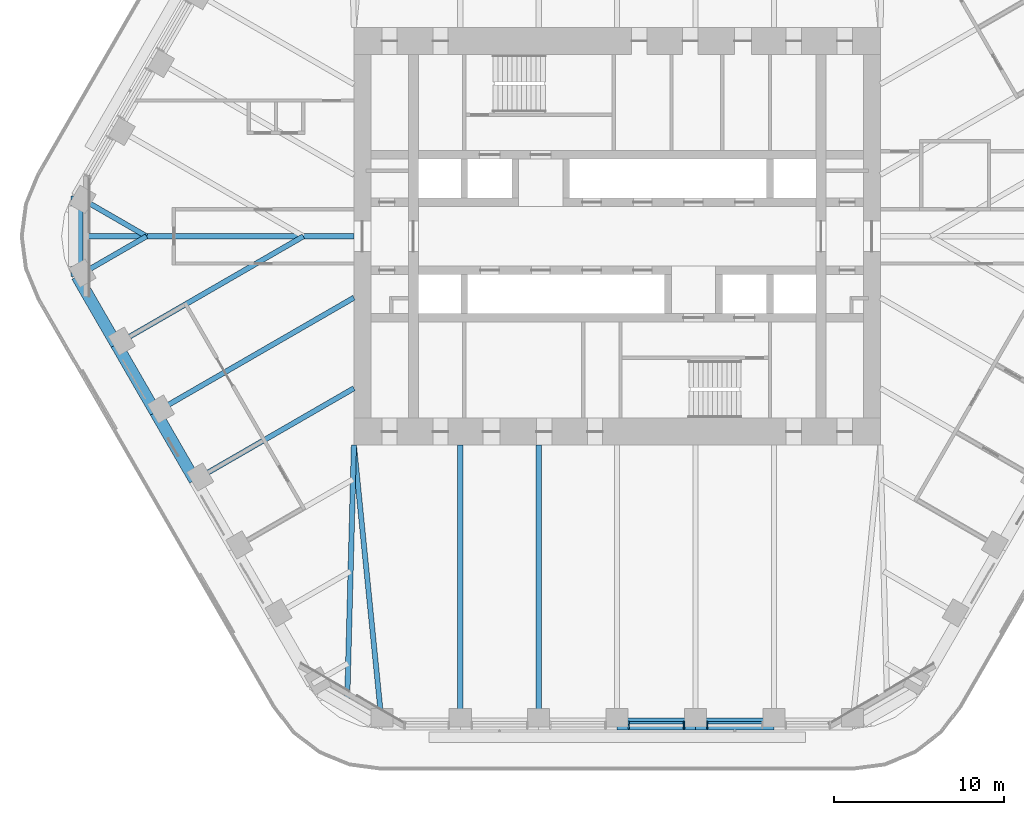
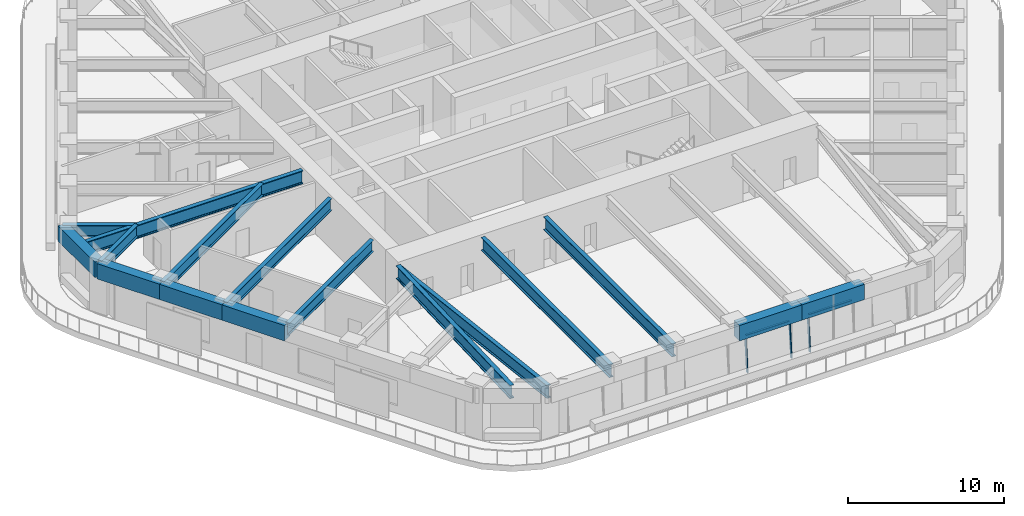
# One storey, part 3 of 20: 16 beams, 5 members, 2 elements without a shape of their own.
"""IFC4 building model written with IfcOpenShell, lengths in metres."""

from ifc_helpers import new_model, si_unit, direction, frame, origin, origin_2d, place, context, subcontext, project, spatial, rectangle, i_section, extrude, material, material_profile, profile_set, type_object, element, aggregate, save


model = new_model("IFC4")

# Units and contexts
model_context = context("Model", 3, precision=1e-05, world=origin(), true_north=direction((0.0, 1.0)))
body_context = subcontext(model_context, "Body", "Model", "MODEL_VIEW")
ifc_project = project(units=[si_unit("LENGTHUNIT", "METRE"), si_unit("AREAUNIT", "SQUARE_METRE"), si_unit("VOLUMEUNIT", "CUBIC_METRE"), si_unit("PLANEANGLEUNIT", "RADIAN"), si_unit("MASSUNIT", "GRAM", prefix="KILO")], contexts=[model_context])

# Site, building, storey
site_placement = place(None, origin())
site = spatial("IfcSite", under=ifc_project, at=site_placement, CompositionType="ELEMENT")
building_placement = place(site_placement, origin())
building = spatial("IfcBuilding", under=site, at=building_placement, Name="Tarfa Lantern Tower", CompositionType="ELEMENT")
storey_placement = place(building_placement, frame((0.0, 0.0, 253.300048828125)))
storey = spatial("IfcBuildingStorey", under=building, at=storey_placement, Name="L57", CompositionType="ELEMENT", Elevation=253.300048828125)

# Curtain wall, members
ifc_material_1 = material(Name="Aluminium framed curtain wall", Category="aluminium")
curtain_wall_type = type_object("IfcCurtainWallType", Name="CW3 CANTED GLAZING HIGH ZONE 2800", PredefinedType="USERDEFINED", material=ifc_material_1)
curtain_wall_1_placement = place(storey_placement, origin())
curtain_wall_1 = element("IfcCurtainWall", 1, at=curtain_wall_1_placement, inside=storey, type_object=curtain_wall_type, Name="CW3 S L57", ObjectType="CURTAIN WALL", PredefinedType="USERDEFINED")
ifc_material_2 = material(Name="Aluminium mullion", Category="aluminium")
ifc_material_profile_1 = material_profile(ifc_material_2, rectangle(XDim=0.06494140625, YDim=0.199951171875, at=origin_2d()), Name="AL MULLION 65x200")
ifc_profile_set_1 = profile_set([ifc_material_profile_1], Name="Aluminium mullion")
member_type_1 = type_object("IfcMemberType", Name="CWM1 MULLION 65x200", PredefinedType="MULLION", material=ifc_profile_set_1)
member_1_placement = place(storey_placement, frame((0.6826171875, -28.89990234375, 0.0), z_axis=(0.0, 0.088930399417, 0.996037842685), x_axis=(-1.0, 0.0, 0.0)))
member_1 = element("IfcMember", 2, at=member_1_placement, type_object=member_type_1, Name="CW3 mullion 1", PredefinedType="MULLION", context=body_context, shape_type="SweptSolid", body=[
    extrude(rectangle(XDim=0.06494140625, YDim=0.199951171875, at=origin_2d()), origin(), (0.0, 0.0, 1.0), 2.811279296875),
])
member_2_placement = place(storey_placement, frame((3.936279296875, -28.89990234375, 0.0), z_axis=(0.0, 0.088930399417, 0.996037842685), x_axis=(-1.0, 0.0, 0.0)))
member_2 = element("IfcMember", 3, at=member_2_placement, type_object=member_type_1, Name="CW3 mullion 2", PredefinedType="MULLION", context=body_context, shape_type="SweptSolid", body=[
    extrude(rectangle(XDim=0.06494140625, YDim=0.199951171875, at=origin_2d()), origin(), (0.0, 0.0, 1.0), 2.811279296875),
])

# Curtain wall, member
curtain_wall_2_placement = place(storey_placement, origin())
curtain_wall_2 = element("IfcCurtainWall", 4, at=curtain_wall_2_placement, inside=storey, type_object=curtain_wall_type, Name="CW3 S L57", ObjectType="CURTAIN WALL", PredefinedType="USERDEFINED")
member_3_placement = place(storey_placement, frame((5.30126953125, -28.89990234375, 0.0), z_axis=(0.0, 0.088930399417, 0.996037842685), x_axis=(-1.0, 0.0, 0.0)))
member_3 = element("IfcMember", 5, at=member_3_placement, type_object=member_type_1, Name="CW3 mullion 1", PredefinedType="MULLION", context=body_context, shape_type="SweptSolid", body=[
    extrude(rectangle(XDim=0.06494140625, YDim=0.199951171875, at=origin_2d()), origin(), (0.0, 0.0, 1.0), 2.811279296875),
])

# Member
ifc_material_3 = material(Name="Aluminium transom", Category="aluminium")
ifc_material_profile_2 = material_profile(ifc_material_3, rectangle(XDim=0.14990234375, YDim=0.06494140625, at=origin_2d()), Name="AL TRANSOM 150x65")
ifc_profile_set_2 = profile_set([ifc_material_profile_2], Name="Aluminium transom")
member_type_2 = type_object("IfcMemberType", Name="CWT1 TRANSOM 150x65", PredefinedType="USERDEFINED", material=ifc_profile_set_2)
member_4_placement = place(storey_placement, frame((0.715087890625, -28.65283203125, 2.767333984375), z_axis=(1.0, 0.0, 0.0), x_axis=(0.0, 1.0, 0.0)))
member_4 = element("IfcMember", 6, at=member_4_placement, type_object=member_type_2, Name="CW3 transom 1.2", ObjectType="TRANSOM", PredefinedType="USERDEFINED", context=body_context, shape_type="SweptSolid", body=[
    extrude(rectangle(XDim=0.14990234375, YDim=0.06494140625, at=origin_2d()), origin(), (0.0, 0.0, 1.0), 3.188720703125),
])

aggregate(curtain_wall_1, [member_1, member_2, member_4])

member_5_placement = place(storey_placement, frame((5.333740234375, -28.65283203125, 2.767333984375), z_axis=(1.0, 0.0, 0.0), x_axis=(0.0, 1.0, 0.0)))
member_5 = element("IfcMember", 7, at=member_5_placement, type_object=member_type_2, Name="CW3 transom 1.2", ObjectType="TRANSOM", PredefinedType="USERDEFINED", context=body_context, shape_type="SweptSolid", body=[
    extrude(rectangle(XDim=0.14990234375, YDim=0.06494140625, at=origin_2d()), origin(), (0.0, 0.0, 1.0), 3.18896484375),
])

aggregate(curtain_wall_2, [member_3, member_5])

# Beams
ifc_material_4 = material(Name="Concrete C80/95", Category="concrete")
ifc_material_profile_3 = material_profile(ifc_material_4, rectangle(XDim=0.699951171875, YDim=1.199951171875, at=origin_2d()), Name="RC 700x1200")
ifc_profile_set_3 = profile_set([ifc_material_profile_3], Name="Concrete C80/95")
beam_type_1 = type_object("IfcBeamType", Name="EB3 RC 700x1200", PredefinedType="SPANDREL", material=ifc_profile_set_3)
beam_1_placement = place(storey_placement, frame((-31.800537109375, 2.360107421875, 3.39990234375), z_axis=(0.0, -1.0, 0.0), x_axis=(1.0, 0.0, 0.0)))
element("IfcBeam", 8, at=beam_1_placement, inside=storey, type_object=beam_type_1, Name="Edge beam NW6", PredefinedType="SPANDREL", context=body_context, shape_type="SweptSolid", body=[
    extrude(rectangle(XDim=0.699951171875, YDim=1.199951171875, at=origin_2d()), origin(), (0.0, 0.0, 1.0), 4.72021484375),
])
beam_2_placement = place(storey_placement, frame((-31.800537109375, -2.360107421875, 3.39990234375), z_axis=(0.500027479704, -0.866009537788, 0.0), x_axis=(0.866009537788, 0.500027479704, 0.0)))
element("IfcBeam", 9, at=beam_2_placement, inside=storey, type_object=beam_type_1, Name="Edge beam SW0", PredefinedType="SPANDREL", context=body_context, shape_type="SweptSolid", body=[
    extrude(rectangle(XDim=0.699951171875, YDim=1.199951171875, at=origin_2d()), origin(), (0.0, 0.0, 1.0), 4.618896484375),
])
for number, where, z_axis, x_axis, name in (
    (10, (-29.490966796875, -6.360107421875, 3.39990234375), (0.499987836815, -0.866032426089, 0.0), (0.866032426089, 0.499987836815, 0.0), "Edge beam SW1"),
    (11, (-27.181640625, -10.360107421875, 3.39990234375), (0.499987836815, -0.866032426089, 0.0), (0.866032426089, 0.499987836815, 0.0), "Edge beam SW2"),
):
    element("IfcBeam", number, at=place(storey_placement, frame(where, z_axis=z_axis, x_axis=x_axis)), inside=storey, type_object=beam_type_1, Name=name, PredefinedType="SPANDREL", context=body_context, shape_type="SweptSolid", body=[
        extrude(rectangle(XDim=0.699951171875, YDim=1.199951171875, at=origin_2d()), origin(), (0.0, 0.0, 1.0), 4.61865234375),
    ])
beam_3_placement = place(storey_placement, frame((0.0, -28.719970703125, 3.39990234375), z_axis=(1.0, 0.0, 0.0), x_axis=(0.0, 1.0, 0.0)))
element("IfcBeam", 12, at=beam_3_placement, inside=storey, type_object=beam_type_1, Name="Edge beam S3", PredefinedType="SPANDREL", context=body_context, shape_type="SweptSolid", body=[
    extrude(rectangle(XDim=0.699951171875, YDim=1.199951171875, at=origin_2d()), origin(), (0.0, 0.0, 1.0), 4.618896484375),
])
beam_4_placement = place(storey_placement, frame((4.618896484375, -28.719970703125, 3.39990234375), z_axis=(1.0, 0.0, 0.0), x_axis=(0.0, 1.0, 0.0)))
element("IfcBeam", 13, at=beam_4_placement, inside=storey, type_object=beam_type_1, Name="Edge beam S4", PredefinedType="SPANDREL", context=body_context, shape_type="SweptSolid", body=[
    extrude(rectangle(XDim=0.699951171875, YDim=1.199951171875, at=origin_2d()), origin(), (0.0, 0.0, 1.0), 4.61865234375),
])
ifc_material_5 = material(Name="Steel S460M", Category="steel")
ifc_material_profile_4 = material_profile(ifc_material_5, i_section(OverallWidth=0.302001953125, OverallDepth=1.008056640625, WebThickness=0.02099609375, FlangeThickness=0.0400390625, FilletRadius=0.030029296875, at=origin_2d()), Name="UB1016x305x349")
ifc_profile_set_4 = profile_set([ifc_material_profile_4], Name="Steel S460M")
beam_type_2 = type_object("IfcBeamType", Name="UB1016x305x349", PredefinedType="BEAM", material=ifc_profile_set_4)
beam_5_placement = place(storey_placement, frame((-13.8564453125, -28.719970703125, 3.495849609375), z_axis=(-0.099597466746, 0.995027810977, 0.0), x_axis=(-0.995027810977, -0.099597466746, 0.0)))
element("IfcBeam", 14, at=beam_5_placement, inside=storey, type_object=beam_type_2, Name="Floor beam S0", PredefinedType="BEAM", context=body_context, shape_type="SweptSolid", body=[
    extrude(i_section(OverallWidth=0.302001953125, OverallDepth=1.008056640625, WebThickness=0.02099609375, FlangeThickness=0.0400390625, FilletRadius=0.030029296875, at=origin_2d()), origin(), (0.0, 0.0, 1.0), 16.501953125),
])
for number, where, z_axis, x_axis, name in (
    (15, (-9.237548828125, -28.719970703125, 3.495849609375), (0.0, 1.0, 0.0), (-1.0, 0.0, 0.0), "Floor beam S1"),
    (16, (-4.618896484375, -28.719970703125, 3.495849609375), (0.0, 1.0, 0.0), (-1.0, 0.0, 0.0), "Floor beam S2"),
):
    element("IfcBeam", number, at=place(storey_placement, frame(where, z_axis=z_axis, x_axis=x_axis)), inside=storey, type_object=beam_type_2, Name=name, PredefinedType="BEAM", context=body_context, shape_type="SweptSolid", body=[
        extrude(i_section(OverallWidth=0.302001953125, OverallDepth=1.008056640625, WebThickness=0.02099609375, FlangeThickness=0.0400390625, FilletRadius=0.030029296875, at=origin_2d()), origin(), (0.0, 0.0, 1.0), 16.419921875),
    ])
ifc_material_profile_5 = material_profile(ifc_material_5, i_section(OverallWidth=0.30859375, OverallDepth=1.036376953125, WebThickness=0.030029296875, FlangeThickness=0.05419921875, FilletRadius=0.030029296875, at=origin_2d()), Name="UB1016x305x487")
ifc_profile_set_5 = profile_set([ifc_material_profile_5], Name="Steel S460M")
beam_type_3 = type_object("IfcBeamType", Name="UB1016x305x487", PredefinedType="BEAM", material=ifc_profile_set_5)
beam_6_placement = place(storey_placement, frame((-15.5, 0.0, 3.481689453125), z_axis=(-1.0, 0.0, 0.0), x_axis=(0.0, -1.0, 0.0)))
element("IfcBeam", 17, at=beam_6_placement, inside=storey, type_object=beam_type_3, Name="Hip girder W", PredefinedType="BEAM", context=body_context, shape_type="SweptSolid", body=[
    extrude(i_section(OverallWidth=0.30859375, OverallDepth=1.036376953125, WebThickness=0.030029296875, FlangeThickness=0.05419921875, FilletRadius=0.030029296875, at=origin_2d()), origin(), (0.0, 0.0, 1.0), 16.300537109375),
])
beam_7_placement = place(storey_placement, frame((-15.5, -12.300048828125, 3.481689453125), z_axis=(-0.026247301989, -0.999655480222, 0.0), x_axis=(0.999655480222, -0.026247301989, 0.0)))
element("IfcBeam", 18, at=beam_7_placement, inside=storey, type_object=beam_type_3, Name="Hip girder SW", PredefinedType="BEAM", context=body_context, shape_type="SweptSolid", body=[
    extrude(i_section(OverallWidth=0.30859375, OverallDepth=1.036376953125, WebThickness=0.030029296875, FlangeThickness=0.05419921875, FilletRadius=0.030029296875, at=origin_2d()), origin(), (0.0, 0.0, 1.0), 15.245361328125),
])
ifc_material_profile_6 = material_profile(ifc_material_5, i_section(OverallWidth=0.305419921875, OverallDepth=0.91845703125, WebThickness=0.017333984375, FlangeThickness=0.02783203125, FilletRadius=0.01904296875, at=origin_2d()), Name="UB914x305x253")
ifc_profile_set_6 = profile_set([ifc_material_profile_6], Name="Steel S460M")
beam_type_4 = type_object("IfcBeamType", Name="UB914x305x253", PredefinedType="BEAM", material=ifc_profile_set_6)
for number, where, z_axis, x_axis, name in (
    (19, (-31.800537109375, 2.360107421875, 3.540771484375), (0.866015897305, -0.500016465344, 0.0), (0.500016465344, 0.866015897305, 0.0), "Floor beam NW6"),
    (20, (-31.800537109375, -2.360107421875, 3.540771484375), (0.866015897305, 0.500016465344, 0.0), (-0.500016465344, 0.866015897305, 0.0), "Floor beam SW0"),
):
    element("IfcBeam", number, at=place(storey_placement, frame(where, z_axis=z_axis, x_axis=x_axis)), inside=storey, type_object=beam_type_4, Name=name, PredefinedType="BEAM", context=body_context, shape_type="SweptSolid", body=[
        extrude(i_section(OverallWidth=0.305419921875, OverallDepth=0.91845703125, WebThickness=0.017333984375, FlangeThickness=0.02783203125, FilletRadius=0.01904296875, at=origin_2d()), origin(), (0.0, 0.0, 1.0), 4.719970703125),
    ])
beam_8_placement = place(storey_placement, frame((-29.490966796875, -6.360107421875, 3.540771484375), z_axis=(0.866022258038, 0.500005448553, 0.0), x_axis=(-0.500005448553, 0.866022258038, 0.0)))
element("IfcBeam", 21, at=beam_8_placement, inside=storey, type_object=beam_type_4, Name="Floor beam SW1", PredefinedType="BEAM", context=body_context, shape_type="SweptSolid", body=[
    extrude(i_section(OverallWidth=0.305419921875, OverallDepth=0.91845703125, WebThickness=0.017333984375, FlangeThickness=0.02783203125, FilletRadius=0.01904296875, at=origin_2d()), origin(), (0.0, 0.0, 1.0), 12.719970703125),
])
beam_9_placement = place(storey_placement, frame((-27.181640625, -10.360107421875, 3.540771484375), z_axis=(0.866018002818, 0.500012818631, 0.0), x_axis=(-0.500012818631, 0.866018002818, 0.0)))
element("IfcBeam", 22, at=beam_9_placement, inside=storey, type_object=beam_type_4, Name="Floor beam SW2", PredefinedType="BEAM", context=body_context, shape_type="SweptSolid", body=[
    extrude(i_section(OverallWidth=0.305419921875, OverallDepth=0.91845703125, WebThickness=0.017333984375, FlangeThickness=0.02783203125, FilletRadius=0.01904296875, at=origin_2d()), origin(), (0.0, 0.0, 1.0), 13.489013671875),
])
beam_10_placement = place(storey_placement, frame((-24.872314453125, -14.360107421875, 3.540771484375), z_axis=(0.8660244219, 0.500001700669, 0.0), x_axis=(-0.500001700669, 0.8660244219, 0.0)))
element("IfcBeam", 23, at=beam_10_placement, inside=storey, type_object=beam_type_4, Name="Floor beam SW3", PredefinedType="BEAM", context=body_context, shape_type="SweptSolid", body=[
    extrude(i_section(OverallWidth=0.305419921875, OverallDepth=0.91845703125, WebThickness=0.017333984375, FlangeThickness=0.02783203125, FilletRadius=0.01904296875, at=origin_2d()), origin(), (0.0, 0.0, 1.0), 10.822265625),
])

save(model, "model.ifc")
